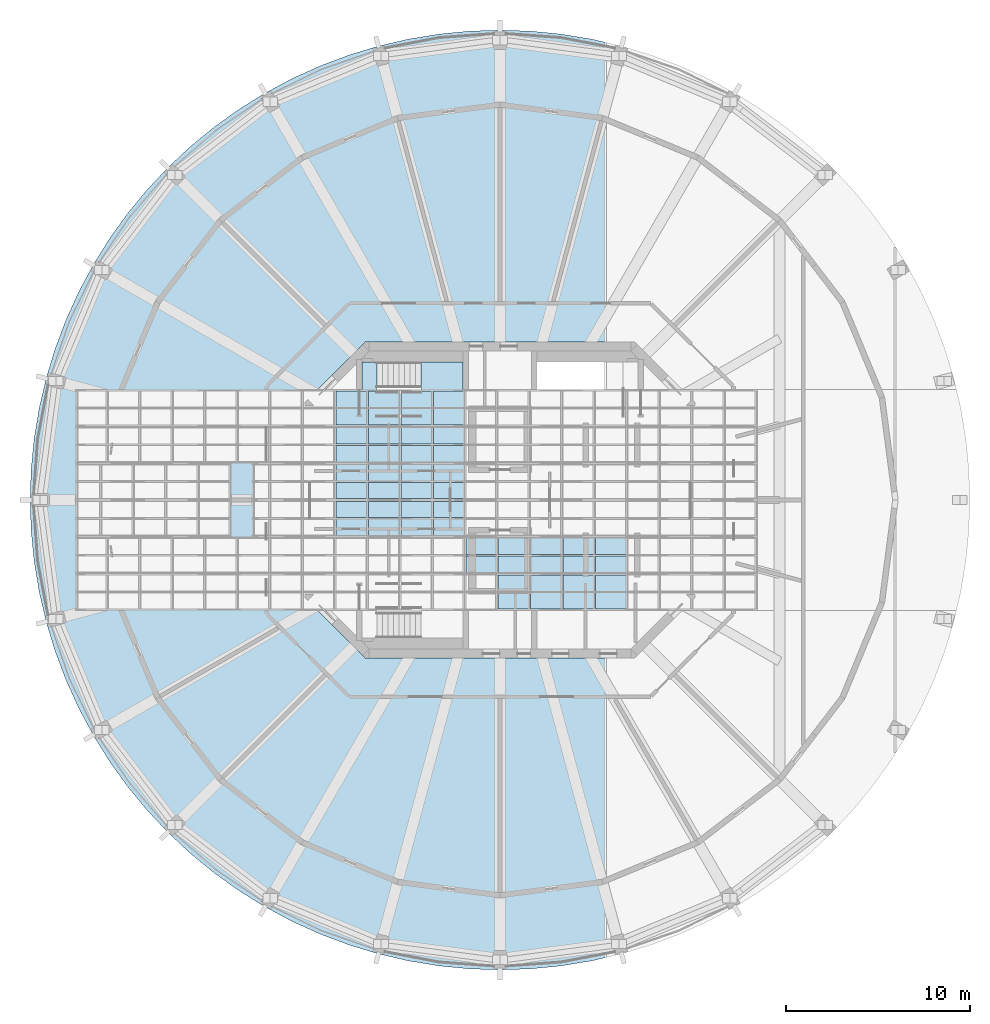
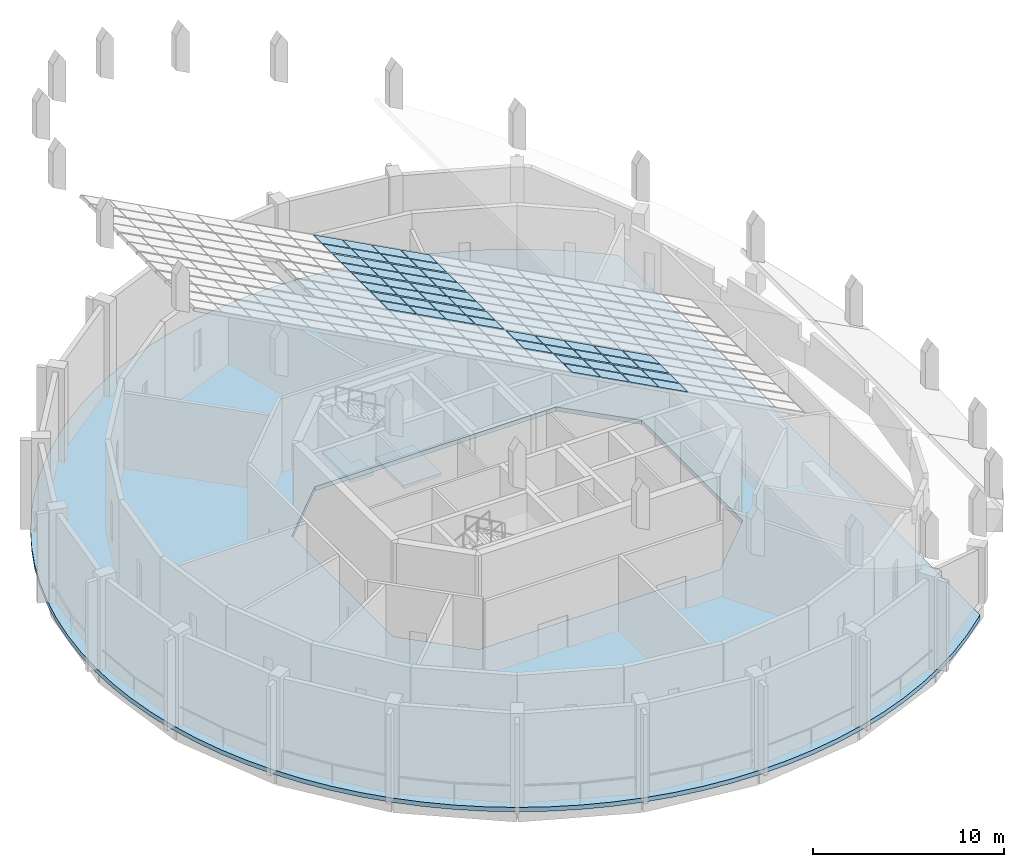
# One storey, part 10 of 19: 50 plates, 3 slabs, 7 elements without a shape of their own.
"""IFC4 building model written with IfcOpenShell, lengths in metres."""

from ifc_helpers import new_model, si_unit, direction, frame, origin, place, context, subcontext, project, spatial, polyline, outline, extrude, material, layer, layer_set, type_object, element, aggregate, save


model = new_model("IFC4")

# Units and contexts
model_context = context("Model", 3, precision=1e-05, world=origin(), true_north=direction((0.0, 1.0)))
body_context = subcontext(model_context, "Body", "Model", "MODEL_VIEW")
ifc_project = project(units=[si_unit("LENGTHUNIT", "METRE"), si_unit("AREAUNIT", "SQUARE_METRE"), si_unit("VOLUMEUNIT", "CUBIC_METRE"), si_unit("PLANEANGLEUNIT", "RADIAN"), si_unit("MASSUNIT", "GRAM", prefix="KILO")], contexts=[model_context])

# Site, building, storey
site_placement = place(None, origin())
site = spatial("IfcSite", under=ifc_project, at=site_placement, CompositionType="ELEMENT")
building_placement = place(site_placement, origin())
building = spatial("IfcBuilding", under=site, at=building_placement, Name="Torre Triforio", CompositionType="ELEMENT")
storey_placement = place(building_placement, frame((0.0, 0.0, 290.800048828125)))
storey = spatial("IfcBuildingStorey", under=building, at=storey_placement, Name="RF-1", CompositionType="ELEMENT", Elevation=290.800048828125)

# Curtain wall, plates
ifc_material_1 = material(Name="Aluminium glazing bars with clear laminated glass", Category="aluminium")
curtain_wall_type = type_object("IfcCurtainWallType", Name="Crown lantern glazing CW4", PredefinedType="NOTDEFINED", material=ifc_material_1)
curtain_wall_1_placement = place(storey_placement, origin())
curtain_wall_1 = element("IfcCurtainWall", 1, at=curtain_wall_1_placement, inside=storey, type_object=curtain_wall_type, Name="Crown lantern run 1", PredefinedType="NOTDEFINED")
ifc_material_2 = material(Name="Clear laminated glass", Category="glass")
ifc_layer_1 = layer(ifc_material_2, 0.030029296875)
ifc_layer_set_1 = layer_set([ifc_layer_1], Name="Clear laminated glass")
plate_type = type_object("IfcPlateType", Name="CW4 glass panel 30", PredefinedType="CURTAIN_PANEL", material=ifc_layer_set_1)
plate_1_placement = place(storey_placement, frame((6.905517578125, -5.929931640625, 9.913330078125), z_axis=(0.469438837627, 0.0, 0.882964992357), x_axis=(0.0, 1.0, 0.0)))
plate_1 = element("IfcPlate", 2, at=plate_1_placement, type_object=plate_type, Name="CW4 panel 1.5.1", PredefinedType="CURTAIN_PANEL", context=body_context, shape_type="SweptSolid", body=[
    extrude(outline(polyline([(0.0, 0.0), (0.89501953125, 0.0), (0.89501953125, 1.9299763606160503), (0.0, 1.9299763606160503), (0.0, 0.0)])), origin(), (0.0, 0.0, -1.0), 0.030029296875),
])
plate_2_placement = place(storey_placement, frame((6.905517578125, -4.965087890625, 9.913330078125), z_axis=(0.469438837627, 0.0, 0.882964992357), x_axis=(0.0, 1.0, 0.0)))
plate_2 = element("IfcPlate", 3, at=plate_2_placement, type_object=plate_type, Name="CW4 panel 1.5.2", PredefinedType="CURTAIN_PANEL", context=body_context, shape_type="SweptSolid", body=[
    extrude(outline(polyline([(0.0, 0.0), (0.89501953125, 0.0), (0.89501953125, 1.9299763606160503), (0.0, 1.9299763606160503), (0.0, 0.0)])), origin(), (0.0, 0.0, -1.0), 0.030029296875),
])
plate_3_placement = place(storey_placement, frame((5.1396484375, -5.929931640625, 10.852294921875), z_axis=(0.469537451121, 0.0, 0.882912556256), x_axis=(0.0, 1.0, 0.0)))
plate_3 = element("IfcPlate", 4, at=plate_3_placement, type_object=plate_type, Name="CW4 panel 1.6.1", PredefinedType="CURTAIN_PANEL", context=body_context, shape_type="SweptSolid", body=[
    extrude(outline(polyline([(0.0, 0.0), (0.89501953125, 0.0), (0.89501953125, 1.9300909817454048), (0.0, 1.9300909817454048), (0.0, 0.0)])), origin(), (0.0, 0.0, -1.0), 0.030029296875),
])
plate_4_placement = place(storey_placement, frame((5.1396484375, -4.965087890625, 10.852294921875), z_axis=(0.469537451121, 0.0, 0.882912556256), x_axis=(0.0, 1.0, 0.0)))
plate_4 = element("IfcPlate", 5, at=plate_4_placement, type_object=plate_type, Name="CW4 panel 1.6.2", PredefinedType="CURTAIN_PANEL", context=body_context, shape_type="SweptSolid", body=[
    extrude(outline(polyline([(0.0, 0.0), (0.89501953125, 0.0), (0.89501953125, 1.9300909817454048), (0.0, 1.9300909817454048), (0.0, 0.0)])), origin(), (0.0, 0.0, -1.0), 0.030029296875),
])
plate_5_placement = place(storey_placement, frame((3.373779296875, -5.929931640625, 11.791259765625), z_axis=(0.469438837627, 0.0, 0.882964992357), x_axis=(0.0, 1.0, 0.0)))
plate_5 = element("IfcPlate", 6, at=plate_5_placement, type_object=plate_type, Name="CW4 panel 1.7.1", PredefinedType="CURTAIN_PANEL", context=body_context, shape_type="SweptSolid", body=[
    extrude(outline(polyline([(0.0, 0.0), (0.89501953125, 0.0), (0.89501953125, 1.9299763606160503), (0.0, 1.9299763606160503), (0.0, 0.0)])), origin(), (0.0, 0.0, -1.0), 0.030029296875),
])
plate_6_placement = place(storey_placement, frame((3.373779296875, -4.965087890625, 11.791259765625), z_axis=(0.469438837627, 0.0, 0.882964992357), x_axis=(0.0, 1.0, 0.0)))
plate_6 = element("IfcPlate", 7, at=plate_6_placement, type_object=plate_type, Name="CW4 panel 1.7.2", PredefinedType="CURTAIN_PANEL", context=body_context, shape_type="SweptSolid", body=[
    extrude(outline(polyline([(0.0, 0.0), (0.89501953125, 0.0), (0.89501953125, 1.9299763606160503), (0.0, 1.9299763606160503), (0.0, 0.0)])), origin(), (0.0, 0.0, -1.0), 0.030029296875),
])
plate_7_placement = place(storey_placement, frame((1.60791015625, -5.929931640625, 12.730224609375), z_axis=(0.469438837627, 0.0, 0.882964992357), x_axis=(0.0, 1.0, 0.0)))
plate_7 = element("IfcPlate", 8, at=plate_7_placement, type_object=plate_type, Name="CW4 panel 1.8.1", PredefinedType="CURTAIN_PANEL", context=body_context, shape_type="SweptSolid", body=[
    extrude(outline(polyline([(0.0, 0.0), (0.89501953125, 0.0), (0.89501953125, 1.9299763606160503), (0.0, 1.9299763606160503), (0.0, 0.0)])), origin(), (0.0, 0.0, -1.0), 0.030029296875),
])
plate_8_placement = place(storey_placement, frame((1.60791015625, -4.965087890625, 12.730224609375), z_axis=(0.469438837627, 0.0, 0.882964992357), x_axis=(0.0, 1.0, 0.0)))
plate_8 = element("IfcPlate", 9, at=plate_8_placement, type_object=plate_type, Name="CW4 panel 1.8.2", PredefinedType="CURTAIN_PANEL", context=body_context, shape_type="SweptSolid", body=[
    extrude(outline(polyline([(0.0, 0.0), (0.89501953125, 0.0), (0.89501953125, 1.9299763606160503), (0.0, 1.9299763606160503), (0.0, 0.0)])), origin(), (0.0, 0.0, -1.0), 0.030029296875),
])
aggregate(curtain_wall_1, [plate_1, plate_2, plate_3, plate_4, plate_5, plate_6, plate_7, plate_8])

curtain_wall_2_placement = place(storey_placement, origin())
curtain_wall_2 = element("IfcCurtainWall", 10, at=curtain_wall_2_placement, inside=storey, type_object=curtain_wall_type, Name="Crown lantern run 2", PredefinedType="NOTDEFINED")
plate_9_placement = place(storey_placement, frame((6.905517578125, -3.929931640625, 9.913330078125), z_axis=(0.469438837627, 0.0, 0.882964992357), x_axis=(0.0, 1.0, 0.0)))
plate_9 = element("IfcPlate", 11, at=plate_9_placement, type_object=plate_type, Name="CW4 panel 2.5.1", PredefinedType="CURTAIN_PANEL", context=body_context, shape_type="SweptSolid", body=[
    extrude(outline(polyline([(0.0, 0.0), (0.89501953125, 0.0), (0.89501953125, 1.9299763606160503), (0.0, 1.9299763606160503), (0.0, 0.0)])), origin(), (0.0, 0.0, -1.0), 0.030029296875),
])
plate_10_placement = place(storey_placement, frame((6.905517578125, -2.965087890625, 9.913330078125), z_axis=(0.469438837627, 0.0, 0.882964992357), x_axis=(0.0, 1.0, 0.0)))
plate_10 = element("IfcPlate", 12, at=plate_10_placement, type_object=plate_type, Name="CW4 panel 2.5.2", PredefinedType="CURTAIN_PANEL", context=body_context, shape_type="SweptSolid", body=[
    extrude(outline(polyline([(0.0, 0.0), (0.89501953125, 0.0), (0.89501953125, 1.9299763606160503), (0.0, 1.9299763606160503), (0.0, 0.0)])), origin(), (0.0, 0.0, -1.0), 0.030029296875),
])
plate_11_placement = place(storey_placement, frame((5.1396484375, -3.929931640625, 10.852294921875), z_axis=(0.469537451121, 0.0, 0.882912556256), x_axis=(0.0, 1.0, 0.0)))
plate_11 = element("IfcPlate", 13, at=plate_11_placement, type_object=plate_type, Name="CW4 panel 2.6.1", PredefinedType="CURTAIN_PANEL", context=body_context, shape_type="SweptSolid", body=[
    extrude(outline(polyline([(0.0, 0.0), (0.89501953125, 0.0), (0.89501953125, 1.9300909817454048), (0.0, 1.9300909817454048), (0.0, 0.0)])), origin(), (0.0, 0.0, -1.0), 0.030029296875),
])
plate_12_placement = place(storey_placement, frame((5.1396484375, -2.965087890625, 10.852294921875), z_axis=(0.469537451121, 0.0, 0.882912556256), x_axis=(0.0, 1.0, 0.0)))
plate_12 = element("IfcPlate", 14, at=plate_12_placement, type_object=plate_type, Name="CW4 panel 2.6.2", PredefinedType="CURTAIN_PANEL", context=body_context, shape_type="SweptSolid", body=[
    extrude(outline(polyline([(0.0, 0.0), (0.89501953125, 0.0), (0.89501953125, 1.9300909817454048), (0.0, 1.9300909817454048), (0.0, 0.0)])), origin(), (0.0, 0.0, -1.0), 0.030029296875),
])
plate_13_placement = place(storey_placement, frame((3.373779296875, -3.929931640625, 11.791259765625), z_axis=(0.469438837627, 0.0, 0.882964992357), x_axis=(0.0, 1.0, 0.0)))
plate_13 = element("IfcPlate", 15, at=plate_13_placement, type_object=plate_type, Name="CW4 panel 2.7.1", PredefinedType="CURTAIN_PANEL", context=body_context, shape_type="SweptSolid", body=[
    extrude(outline(polyline([(0.0, 0.0), (0.89501953125, 0.0), (0.89501953125, 1.9299763606160503), (0.0, 1.9299763606160503), (0.0, 0.0)])), origin(), (0.0, 0.0, -1.0), 0.030029296875),
])
plate_14_placement = place(storey_placement, frame((3.373779296875, -2.965087890625, 11.791259765625), z_axis=(0.469438837627, 0.0, 0.882964992357), x_axis=(0.0, 1.0, 0.0)))
plate_14 = element("IfcPlate", 16, at=plate_14_placement, type_object=plate_type, Name="CW4 panel 2.7.2", PredefinedType="CURTAIN_PANEL", context=body_context, shape_type="SweptSolid", body=[
    extrude(outline(polyline([(0.0, 0.0), (0.89501953125, 0.0), (0.89501953125, 1.9299763606160503), (0.0, 1.9299763606160503), (0.0, 0.0)])), origin(), (0.0, 0.0, -1.0), 0.030029296875),
])
plate_15_placement = place(storey_placement, frame((1.60791015625, -3.929931640625, 12.730224609375), z_axis=(0.469438837627, 0.0, 0.882964992357), x_axis=(0.0, 1.0, 0.0)))
plate_15 = element("IfcPlate", 17, at=plate_15_placement, type_object=plate_type, Name="CW4 panel 2.8.1", PredefinedType="CURTAIN_PANEL", context=body_context, shape_type="SweptSolid", body=[
    extrude(outline(polyline([(0.0, 0.0), (0.89501953125, 0.0), (0.89501953125, 1.9299763606160503), (0.0, 1.9299763606160503), (0.0, 0.0)])), origin(), (0.0, 0.0, -1.0), 0.030029296875),
])
plate_16_placement = place(storey_placement, frame((1.60791015625, -2.965087890625, 12.730224609375), z_axis=(0.469438837627, 0.0, 0.882964992357), x_axis=(0.0, 1.0, 0.0)))
plate_16 = element("IfcPlate", 18, at=plate_16_placement, type_object=plate_type, Name="CW4 panel 2.8.2", PredefinedType="CURTAIN_PANEL", context=body_context, shape_type="SweptSolid", body=[
    extrude(outline(polyline([(0.0, 0.0), (0.89501953125, 0.0), (0.89501953125, 1.9299763606160503), (0.0, 1.9299763606160503), (0.0, 0.0)])), origin(), (0.0, 0.0, -1.0), 0.030029296875),
])
plate_17_placement = place(storey_placement, frame((-0.158203125, -3.929931640625, 13.669189453125), z_axis=(0.469438837627, 0.0, 0.882964992357), x_axis=(0.0, 1.0, 0.0)))
plate_17 = element("IfcPlate", 19, at=plate_17_placement, type_object=plate_type, Name="CW4 panel 2.9.1", PredefinedType="CURTAIN_PANEL", context=body_context, shape_type="SweptSolid", body=[
    extrude(outline(polyline([(0.0, 0.0), (0.89501953125, 0.0), (0.89501953125, 1.9299763606160503), (0.0, 1.9299763606160503), (0.0, 0.0)])), origin(), (0.0, 0.0, -1.0), 0.030029296875),
])
plate_18_placement = place(storey_placement, frame((-0.158203125, -2.965087890625, 13.669189453125), z_axis=(0.469438837627, 0.0, 0.882964992357), x_axis=(0.0, 1.0, 0.0)))
plate_18 = element("IfcPlate", 20, at=plate_18_placement, type_object=plate_type, Name="CW4 panel 2.9.2", PredefinedType="CURTAIN_PANEL", context=body_context, shape_type="SweptSolid", body=[
    extrude(outline(polyline([(0.0, 0.0), (0.89501953125, 0.0), (0.89501953125, 1.9299763606160503), (0.0, 1.9299763606160503), (0.0, 0.0)])), origin(), (0.0, 0.0, -1.0), 0.030029296875),
])
aggregate(curtain_wall_2, [plate_9, plate_10, plate_11, plate_12, plate_13, plate_14, plate_15, plate_16, plate_17, plate_18])

curtain_wall_3_placement = place(storey_placement, origin())
curtain_wall_3 = element("IfcCurtainWall", 21, at=curtain_wall_3_placement, inside=storey, type_object=curtain_wall_type, Name="Crown lantern run 3", PredefinedType="NOTDEFINED")
plate_19_placement = place(storey_placement, frame((-1.924072265625, -1.929931640625, 14.608154296875), z_axis=(0.469491276363, 0.0, 0.882937110682), x_axis=(0.0, 1.0, 0.0)))
plate_19 = element("IfcPlate", 22, at=plate_19_placement, type_object=plate_type, Name="CW4 panel 3.10.1", PredefinedType="CURTAIN_PANEL", context=body_context, shape_type="SweptSolid", body=[
    extrude(outline(polyline([(0.0, 0.0), (0.89501953125, 0.0), (0.89501953125, 1.9297607963942975), (0.0, 1.9297607963942975), (0.0, 0.0)])), origin(), (0.0, 0.0, -1.0), 0.030029296875),
])
plate_20_placement = place(storey_placement, frame((-1.924072265625, -0.965087890625, 14.608154296875), z_axis=(0.469491276363, 0.0, 0.882937110682), x_axis=(0.0, 1.0, 0.0)))
plate_20 = element("IfcPlate", 23, at=plate_20_placement, type_object=plate_type, Name="CW4 panel 3.10.2", PredefinedType="CURTAIN_PANEL", context=body_context, shape_type="SweptSolid", body=[
    extrude(outline(polyline([(0.0, 0.0), (0.89501953125, 0.0), (0.89501953125, 1.9297607963942975), (0.0, 1.9297607963942975), (0.0, 0.0)])), origin(), (0.0, 0.0, -1.0), 0.030029296875),
])
plate_21_placement = place(storey_placement, frame((-3.68994140625, -1.929931640625, 15.547119140625), z_axis=(0.469491276363, 0.0, 0.882937110682), x_axis=(0.0, 1.0, 0.0)))
plate_21 = element("IfcPlate", 24, at=plate_21_placement, type_object=plate_type, Name="CW4 panel 3.11.1", PredefinedType="CURTAIN_PANEL", context=body_context, shape_type="SweptSolid", body=[
    extrude(outline(polyline([(0.0, 0.0), (0.89501953125, 0.0), (0.89501953125, 1.9297607963942975), (0.0, 1.9297607963942975), (0.0, 0.0)])), origin(), (0.0, 0.0, -1.0), 0.030029296875),
])
plate_22_placement = place(storey_placement, frame((-3.68994140625, -0.965087890625, 15.547119140625), z_axis=(0.469491276363, 0.0, 0.882937110682), x_axis=(0.0, 1.0, 0.0)))
plate_22 = element("IfcPlate", 25, at=plate_22_placement, type_object=plate_type, Name="CW4 panel 3.11.2", PredefinedType="CURTAIN_PANEL", context=body_context, shape_type="SweptSolid", body=[
    extrude(outline(polyline([(0.0, 0.0), (0.89501953125, 0.0), (0.89501953125, 1.9297607963942975), (0.0, 1.9297607963942975), (0.0, 0.0)])), origin(), (0.0, 0.0, -1.0), 0.030029296875),
])
plate_23_placement = place(storey_placement, frame((-5.455810546875, -1.929931640625, 16.48583984375), z_axis=(0.469537451121, 0.0, 0.882912556256), x_axis=(0.0, 1.0, 0.0)))
plate_23 = element("IfcPlate", 26, at=plate_23_placement, type_object=plate_type, Name="CW4 panel 3.12.1", PredefinedType="CURTAIN_PANEL", context=body_context, shape_type="SweptSolid", body=[
    extrude(outline(polyline([(0.0, 0.0), (0.89501953125, 0.0), (0.89501953125, 1.9300909817454048), (0.0, 1.9300909817454048), (0.0, 0.0)])), origin(), (0.0, 0.0, -1.0), 0.030029296875),
])
plate_24_placement = place(storey_placement, frame((-5.455810546875, -0.965087890625, 16.48583984375), z_axis=(0.469537451121, 0.0, 0.882912556256), x_axis=(0.0, 1.0, 0.0)))
plate_24 = element("IfcPlate", 27, at=plate_24_placement, type_object=plate_type, Name="CW4 panel 3.12.2", PredefinedType="CURTAIN_PANEL", context=body_context, shape_type="SweptSolid", body=[
    extrude(outline(polyline([(0.0, 0.0), (0.89501953125, 0.0), (0.89501953125, 1.9300909817454048), (0.0, 1.9300909817454048), (0.0, 0.0)])), origin(), (0.0, 0.0, -1.0), 0.030029296875),
])
plate_25_placement = place(storey_placement, frame((-7.2216796875, -1.929931640625, 17.425048828125), z_axis=(0.469438837627, 0.0, 0.882964992357), x_axis=(0.0, 1.0, 0.0)))
plate_25 = element("IfcPlate", 28, at=plate_25_placement, type_object=plate_type, Name="CW4 panel 3.13.1", PredefinedType="CURTAIN_PANEL", context=body_context, shape_type="SweptSolid", body=[
    extrude(outline(polyline([(0.0, 0.0), (0.89501953125, 0.0), (0.89501953125, 1.9299763606160503), (0.0, 1.9299763606160503), (0.0, 0.0)])), origin(), (0.0, 0.0, -1.0), 0.030029296875),
])
plate_26_placement = place(storey_placement, frame((-7.2216796875, -0.965087890625, 17.425048828125), z_axis=(0.469438837627, 0.0, 0.882964992357), x_axis=(0.0, 1.0, 0.0)))
plate_26 = element("IfcPlate", 29, at=plate_26_placement, type_object=plate_type, Name="CW4 panel 3.13.2", PredefinedType="CURTAIN_PANEL", context=body_context, shape_type="SweptSolid", body=[
    extrude(outline(polyline([(0.0, 0.0), (0.89501953125, 0.0), (0.89501953125, 1.9299763606160503), (0.0, 1.9299763606160503), (0.0, 0.0)])), origin(), (0.0, 0.0, -1.0), 0.030029296875),
])
aggregate(curtain_wall_3, [plate_19, plate_20, plate_21, plate_22, plate_23, plate_24, plate_25, plate_26])

curtain_wall_4_placement = place(storey_placement, origin())
curtain_wall_4 = element("IfcCurtainWall", 30, at=curtain_wall_4_placement, inside=storey, type_object=curtain_wall_type, Name="Crown lantern run 5", PredefinedType="NOTDEFINED")
plate_27_placement = place(storey_placement, frame((-1.924072265625, 0.070068359375, 14.608154296875), z_axis=(0.469491276363, 0.0, 0.882937110682), x_axis=(0.0, 1.0, 0.0)))
plate_27 = element("IfcPlate", 31, at=plate_27_placement, type_object=plate_type, Name="CW4 panel 5.10.1", PredefinedType="CURTAIN_PANEL", context=body_context, shape_type="SweptSolid", body=[
    extrude(outline(polyline([(0.0, 0.0), (0.89501953125, 0.0), (0.89501953125, 1.9297607963942975), (0.0, 1.9297607963942975), (0.0, 0.0)])), origin(), (0.0, 0.0, -1.0), 0.030029296875),
])
plate_28_placement = place(storey_placement, frame((-1.924072265625, 1.034912109375, 14.608154296875), z_axis=(0.469491276363, 0.0, 0.882937110682), x_axis=(0.0, 1.0, 0.0)))
plate_28 = element("IfcPlate", 32, at=plate_28_placement, type_object=plate_type, Name="CW4 panel 5.10.2", PredefinedType="CURTAIN_PANEL", context=body_context, shape_type="SweptSolid", body=[
    extrude(outline(polyline([(0.0, 0.0), (0.89501953125, 0.0), (0.89501953125, 1.9297607963942975), (0.0, 1.9297607963942975), (0.0, 0.0)])), origin(), (0.0, 0.0, -1.0), 0.030029296875),
])
plate_29_placement = place(storey_placement, frame((-3.68994140625, 0.070068359375, 15.547119140625), z_axis=(0.469491276363, 0.0, 0.882937110682), x_axis=(0.0, 1.0, 0.0)))
plate_29 = element("IfcPlate", 33, at=plate_29_placement, type_object=plate_type, Name="CW4 panel 5.11.1", PredefinedType="CURTAIN_PANEL", context=body_context, shape_type="SweptSolid", body=[
    extrude(outline(polyline([(0.0, 0.0), (0.89501953125, 0.0), (0.89501953125, 1.9297607963942975), (0.0, 1.9297607963942975), (0.0, 0.0)])), origin(), (0.0, 0.0, -1.0), 0.030029296875),
])
plate_30_placement = place(storey_placement, frame((-3.68994140625, 1.034912109375, 15.547119140625), z_axis=(0.469491276363, 0.0, 0.882937110682), x_axis=(0.0, 1.0, 0.0)))
plate_30 = element("IfcPlate", 34, at=plate_30_placement, type_object=plate_type, Name="CW4 panel 5.11.2", PredefinedType="CURTAIN_PANEL", context=body_context, shape_type="SweptSolid", body=[
    extrude(outline(polyline([(0.0, 0.0), (0.89501953125, 0.0), (0.89501953125, 1.9297607963942975), (0.0, 1.9297607963942975), (0.0, 0.0)])), origin(), (0.0, 0.0, -1.0), 0.030029296875),
])
plate_31_placement = place(storey_placement, frame((-5.455810546875, 0.070068359375, 16.48583984375), z_axis=(0.469537451121, 0.0, 0.882912556256), x_axis=(0.0, 1.0, 0.0)))
plate_31 = element("IfcPlate", 35, at=plate_31_placement, type_object=plate_type, Name="CW4 panel 5.12.1", PredefinedType="CURTAIN_PANEL", context=body_context, shape_type="SweptSolid", body=[
    extrude(outline(polyline([(0.0, 0.0), (0.89501953125, 0.0), (0.89501953125, 1.9300909817454048), (0.0, 1.9300909817454048), (0.0, 0.0)])), origin(), (0.0, 0.0, -1.0), 0.030029296875),
])
plate_32_placement = place(storey_placement, frame((-5.455810546875, 1.034912109375, 16.48583984375), z_axis=(0.469537451121, 0.0, 0.882912556256), x_axis=(0.0, 1.0, 0.0)))
plate_32 = element("IfcPlate", 36, at=plate_32_placement, type_object=plate_type, Name="CW4 panel 5.12.2", PredefinedType="CURTAIN_PANEL", context=body_context, shape_type="SweptSolid", body=[
    extrude(outline(polyline([(0.0, 0.0), (0.89501953125, 0.0), (0.89501953125, 1.9300909817454048), (0.0, 1.9300909817454048), (0.0, 0.0)])), origin(), (0.0, 0.0, -1.0), 0.030029296875),
])
plate_33_placement = place(storey_placement, frame((-7.2216796875, 0.070068359375, 17.425048828125), z_axis=(0.469438837627, 0.0, 0.882964992357), x_axis=(0.0, 1.0, 0.0)))
plate_33 = element("IfcPlate", 37, at=plate_33_placement, type_object=plate_type, Name="CW4 panel 5.13.1", PredefinedType="CURTAIN_PANEL", context=body_context, shape_type="SweptSolid", body=[
    extrude(outline(polyline([(0.0, 0.0), (0.89501953125, 0.0), (0.89501953125, 1.9299763606160503), (0.0, 1.9299763606160503), (0.0, 0.0)])), origin(), (0.0, 0.0, -1.0), 0.030029296875),
])
plate_34_placement = place(storey_placement, frame((-7.2216796875, 1.034912109375, 17.425048828125), z_axis=(0.469438837627, 0.0, 0.882964992357), x_axis=(0.0, 1.0, 0.0)))
plate_34 = element("IfcPlate", 38, at=plate_34_placement, type_object=plate_type, Name="CW4 panel 5.13.2", PredefinedType="CURTAIN_PANEL", context=body_context, shape_type="SweptSolid", body=[
    extrude(outline(polyline([(0.0, 0.0), (0.89501953125, 0.0), (0.89501953125, 1.9299763606160503), (0.0, 1.9299763606160503), (0.0, 0.0)])), origin(), (0.0, 0.0, -1.0), 0.030029296875),
])
aggregate(curtain_wall_4, [plate_27, plate_28, plate_29, plate_30, plate_31, plate_32, plate_33, plate_34])

curtain_wall_5_placement = place(storey_placement, origin())
curtain_wall_5 = element("IfcCurtainWall", 39, at=curtain_wall_5_placement, inside=storey, type_object=curtain_wall_type, Name="Crown lantern run 7", PredefinedType="NOTDEFINED")
plate_35_placement = place(storey_placement, frame((-1.924072265625, 2.070068359375, 14.608154296875), z_axis=(0.469491276363, 0.0, 0.882937110682), x_axis=(0.0, 1.0, 0.0)))
plate_35 = element("IfcPlate", 40, at=plate_35_placement, type_object=plate_type, Name="CW4 panel 7.10.1", PredefinedType="CURTAIN_PANEL", context=body_context, shape_type="SweptSolid", body=[
    extrude(outline(polyline([(0.0, 0.0), (0.89501953125, 0.0), (0.89501953125, 1.9297607963942975), (0.0, 1.9297607963942975), (0.0, 0.0)])), origin(), (0.0, 0.0, -1.0), 0.030029296875),
])
plate_36_placement = place(storey_placement, frame((-1.924072265625, 3.034912109375, 14.608154296875), z_axis=(0.469491276363, 0.0, 0.882937110682), x_axis=(0.0, 1.0, 0.0)))
plate_36 = element("IfcPlate", 41, at=plate_36_placement, type_object=plate_type, Name="CW4 panel 7.10.2", PredefinedType="CURTAIN_PANEL", context=body_context, shape_type="SweptSolid", body=[
    extrude(outline(polyline([(0.0, 0.0), (0.89501953125, 0.0), (0.89501953125, 1.9297607963942975), (0.0, 1.9297607963942975), (0.0, 0.0)])), origin(), (0.0, 0.0, -1.0), 0.030029296875),
])
plate_37_placement = place(storey_placement, frame((-3.68994140625, 2.070068359375, 15.547119140625), z_axis=(0.469491276363, 0.0, 0.882937110682), x_axis=(0.0, 1.0, 0.0)))
plate_37 = element("IfcPlate", 42, at=plate_37_placement, type_object=plate_type, Name="CW4 panel 7.11.1", PredefinedType="CURTAIN_PANEL", context=body_context, shape_type="SweptSolid", body=[
    extrude(outline(polyline([(0.0, 0.0), (0.89501953125, 0.0), (0.89501953125, 1.9297607963942975), (0.0, 1.9297607963942975), (0.0, 0.0)])), origin(), (0.0, 0.0, -1.0), 0.030029296875),
])
plate_38_placement = place(storey_placement, frame((-3.68994140625, 3.034912109375, 15.547119140625), z_axis=(0.469491276363, 0.0, 0.882937110682), x_axis=(0.0, 1.0, 0.0)))
plate_38 = element("IfcPlate", 43, at=plate_38_placement, type_object=plate_type, Name="CW4 panel 7.11.2", PredefinedType="CURTAIN_PANEL", context=body_context, shape_type="SweptSolid", body=[
    extrude(outline(polyline([(0.0, 0.0), (0.89501953125, 0.0), (0.89501953125, 1.9297607963942975), (0.0, 1.9297607963942975), (0.0, 0.0)])), origin(), (0.0, 0.0, -1.0), 0.030029296875),
])
plate_39_placement = place(storey_placement, frame((-5.455810546875, 2.070068359375, 16.48583984375), z_axis=(0.469537451121, 0.0, 0.882912556256), x_axis=(0.0, 1.0, 0.0)))
plate_39 = element("IfcPlate", 44, at=plate_39_placement, type_object=plate_type, Name="CW4 panel 7.12.1", PredefinedType="CURTAIN_PANEL", context=body_context, shape_type="SweptSolid", body=[
    extrude(outline(polyline([(0.0, 0.0), (0.89501953125, 0.0), (0.89501953125, 1.9300909817454048), (0.0, 1.9300909817454048), (0.0, 0.0)])), origin(), (0.0, 0.0, -1.0), 0.030029296875),
])
plate_40_placement = place(storey_placement, frame((-5.455810546875, 3.034912109375, 16.48583984375), z_axis=(0.469537451121, 0.0, 0.882912556256), x_axis=(0.0, 1.0, 0.0)))
plate_40 = element("IfcPlate", 45, at=plate_40_placement, type_object=plate_type, Name="CW4 panel 7.12.2", PredefinedType="CURTAIN_PANEL", context=body_context, shape_type="SweptSolid", body=[
    extrude(outline(polyline([(0.0, 0.0), (0.89501953125, 0.0), (0.89501953125, 1.9300909817454048), (0.0, 1.9300909817454048), (0.0, 0.0)])), origin(), (0.0, 0.0, -1.0), 0.030029296875),
])
plate_41_placement = place(storey_placement, frame((-7.2216796875, 2.070068359375, 17.425048828125), z_axis=(0.469438837627, 0.0, 0.882964992357), x_axis=(0.0, 1.0, 0.0)))
plate_41 = element("IfcPlate", 46, at=plate_41_placement, type_object=plate_type, Name="CW4 panel 7.13.1", PredefinedType="CURTAIN_PANEL", context=body_context, shape_type="SweptSolid", body=[
    extrude(outline(polyline([(0.0, 0.0), (0.89501953125, 0.0), (0.89501953125, 1.9299763606160503), (0.0, 1.9299763606160503), (0.0, 0.0)])), origin(), (0.0, 0.0, -1.0), 0.030029296875),
])
plate_42_placement = place(storey_placement, frame((-7.2216796875, 3.034912109375, 17.425048828125), z_axis=(0.469438837627, 0.0, 0.882964992357), x_axis=(0.0, 1.0, 0.0)))
plate_42 = element("IfcPlate", 47, at=plate_42_placement, type_object=plate_type, Name="CW4 panel 7.13.2", PredefinedType="CURTAIN_PANEL", context=body_context, shape_type="SweptSolid", body=[
    extrude(outline(polyline([(0.0, 0.0), (0.89501953125, 0.0), (0.89501953125, 1.9299763606160503), (0.0, 1.9299763606160503), (0.0, 0.0)])), origin(), (0.0, 0.0, -1.0), 0.030029296875),
])
aggregate(curtain_wall_5, [plate_35, plate_36, plate_37, plate_38, plate_39, plate_40, plate_41, plate_42])

curtain_wall_6_placement = place(storey_placement, origin())
curtain_wall_6 = element("IfcCurtainWall", 48, at=curtain_wall_6_placement, inside=storey, type_object=curtain_wall_type, Name="Crown lantern run 8", PredefinedType="NOTDEFINED")
plate_43_placement = place(storey_placement, frame((-1.924072265625, 4.070068359375, 14.608154296875), z_axis=(0.469491276363, 0.0, 0.882937110682), x_axis=(0.0, 1.0, 0.0)))
plate_43 = element("IfcPlate", 49, at=plate_43_placement, type_object=plate_type, Name="CW4 panel 8.10.1", PredefinedType="CURTAIN_PANEL", context=body_context, shape_type="SweptSolid", body=[
    extrude(outline(polyline([(0.0, 0.0), (0.89501953125, 0.0), (0.89501953125, 1.9297607963942975), (0.0, 1.9297607963942975), (0.0, 0.0)])), origin(), (0.0, 0.0, -1.0), 0.030029296875),
])
plate_44_placement = place(storey_placement, frame((-1.924072265625, 5.034912109375, 14.608154296875), z_axis=(0.469491276363, 0.0, 0.882937110682), x_axis=(0.0, 1.0, 0.0)))
plate_44 = element("IfcPlate", 50, at=plate_44_placement, type_object=plate_type, Name="CW4 panel 8.10.2", PredefinedType="CURTAIN_PANEL", context=body_context, shape_type="SweptSolid", body=[
    extrude(outline(polyline([(0.0, 0.0), (0.89501953125, 0.0), (0.89501953125, 1.9297607963942975), (0.0, 1.9297607963942975), (0.0, 0.0)])), origin(), (0.0, 0.0, -1.0), 0.030029296875),
])
plate_45_placement = place(storey_placement, frame((-3.68994140625, 4.070068359375, 15.547119140625), z_axis=(0.469491276363, 0.0, 0.882937110682), x_axis=(0.0, 1.0, 0.0)))
plate_45 = element("IfcPlate", 51, at=plate_45_placement, type_object=plate_type, Name="CW4 panel 8.11.1", PredefinedType="CURTAIN_PANEL", context=body_context, shape_type="SweptSolid", body=[
    extrude(outline(polyline([(0.0, 0.0), (0.89501953125, 0.0), (0.89501953125, 1.9297607963942975), (0.0, 1.9297607963942975), (0.0, 0.0)])), origin(), (0.0, 0.0, -1.0), 0.030029296875),
])
plate_46_placement = place(storey_placement, frame((-3.68994140625, 5.034912109375, 15.547119140625), z_axis=(0.469491276363, 0.0, 0.882937110682), x_axis=(0.0, 1.0, 0.0)))
plate_46 = element("IfcPlate", 52, at=plate_46_placement, type_object=plate_type, Name="CW4 panel 8.11.2", PredefinedType="CURTAIN_PANEL", context=body_context, shape_type="SweptSolid", body=[
    extrude(outline(polyline([(0.0, 0.0), (0.89501953125, 0.0), (0.89501953125, 1.9297607963942975), (0.0, 1.9297607963942975), (0.0, 0.0)])), origin(), (0.0, 0.0, -1.0), 0.030029296875),
])
plate_47_placement = place(storey_placement, frame((-5.455810546875, 4.070068359375, 16.48583984375), z_axis=(0.469537451121, 0.0, 0.882912556256), x_axis=(0.0, 1.0, 0.0)))
plate_47 = element("IfcPlate", 53, at=plate_47_placement, type_object=plate_type, Name="CW4 panel 8.12.1", PredefinedType="CURTAIN_PANEL", context=body_context, shape_type="SweptSolid", body=[
    extrude(outline(polyline([(0.0, 0.0), (0.89501953125, 0.0), (0.89501953125, 1.9300909817454048), (0.0, 1.9300909817454048), (0.0, 0.0)])), origin(), (0.0, 0.0, -1.0), 0.030029296875),
])
plate_48_placement = place(storey_placement, frame((-5.455810546875, 5.034912109375, 16.48583984375), z_axis=(0.469537451121, 0.0, 0.882912556256), x_axis=(0.0, 1.0, 0.0)))
plate_48 = element("IfcPlate", 54, at=plate_48_placement, type_object=plate_type, Name="CW4 panel 8.12.2", PredefinedType="CURTAIN_PANEL", context=body_context, shape_type="SweptSolid", body=[
    extrude(outline(polyline([(0.0, 0.0), (0.89501953125, 0.0), (0.89501953125, 1.9300909817454048), (0.0, 1.9300909817454048), (0.0, 0.0)])), origin(), (0.0, 0.0, -1.0), 0.030029296875),
])
plate_49_placement = place(storey_placement, frame((-7.2216796875, 4.070068359375, 17.425048828125), z_axis=(0.469438837627, 0.0, 0.882964992357), x_axis=(0.0, 1.0, 0.0)))
plate_49 = element("IfcPlate", 55, at=plate_49_placement, type_object=plate_type, Name="CW4 panel 8.13.1", PredefinedType="CURTAIN_PANEL", context=body_context, shape_type="SweptSolid", body=[
    extrude(outline(polyline([(0.0, 0.0), (0.89501953125, 0.0), (0.89501953125, 1.9299763606160503), (0.0, 1.9299763606160503), (0.0, 0.0)])), origin(), (0.0, 0.0, -1.0), 0.030029296875),
])
plate_50_placement = place(storey_placement, frame((-7.2216796875, 5.034912109375, 17.425048828125), z_axis=(0.469438837627, 0.0, 0.882964992357), x_axis=(0.0, 1.0, 0.0)))
plate_50 = element("IfcPlate", 56, at=plate_50_placement, type_object=plate_type, Name="CW4 panel 8.13.2", PredefinedType="CURTAIN_PANEL", context=body_context, shape_type="SweptSolid", body=[
    extrude(outline(polyline([(0.0, 0.0), (0.89501953125, 0.0), (0.89501953125, 1.9299763606160503), (0.0, 1.9299763606160503), (0.0, 0.0)])), origin(), (0.0, 0.0, -1.0), 0.030029296875),
])
aggregate(curtain_wall_6, [plate_43, plate_44, plate_45, plate_46, plate_47, plate_48, plate_49, plate_50])

# Slab
ifc_material_3 = material(Name="Concrete C40", Category="concrete")
ifc_layer_2 = layer(ifc_material_3, 0.280029296875)
ifc_layer_set_2 = layer_set([ifc_layer_2], Name="Concrete C40")
slab_type_1 = type_object("IfcSlabType", Name="Floor slab 280 C40", PredefinedType="FLOOR", material=ifc_layer_set_2)
slab_1_placement = place(storey_placement, frame((0.0, 0.0, -0.280029296875)))
element("IfcSlab", 57, at=slab_1_placement, inside=storey, type_object=slab_type_1, Name="SL.RF-1", PredefinedType="FLOOR", context=body_context, shape_type="SweptSolid", body=[
    extrude(outline(polyline([(17.086669921875, -18.984375), (17.086669921875, 18.984375), (16.84619140625, 19.20947265625), (15.553955078125, 20.270263671875), (14.19482421875, 21.244140625), (12.77490234375, 22.126953125), (11.300537109375, 22.9150390625), (9.777587890625, 23.605224609375), (8.212890625, 24.194091796875), (6.61279296875, 24.679443359375), (4.984619140625, 25.05908203125), (3.3349609375, 25.331298828125), (1.671142578125, 25.495361328125), (0.0, 25.550048828125), (-1.671142578125, 25.495361328125), (-3.3349609375, 25.331298828125), (-4.984619140625, 25.05908203125), (-6.61279296875, 24.679443359375), (-8.212890625, 24.194091796875), (-9.777587890625, 23.605224609375), (-11.300537109375, 22.9150390625), (-12.77490234375, 22.126953125), (-14.19482421875, 21.244140625), (-15.553955078125, 20.270263671875), (-16.84619140625, 19.20947265625), (-18.066650390625, 18.066650390625), (-19.20947265625, 16.84619140625), (-20.270263671875, 15.553955078125), (-21.244140625, 14.19482421875), (-22.126953125, 12.77490234375), (-22.9150390625, 11.300537109375), (-23.605224609375, 9.777587890625), (-24.194091796875, 8.212890625), (-24.679443359375, 6.61279296875), (-25.05908203125, 4.984619140625), (-25.331298828125, 3.3349609375), (-25.495361328125, 1.671142578125), (-25.550048828125, 0.0), (-25.495361328125, -1.671142578125), (-25.331298828125, -3.3349609375), (-25.05908203125, -4.984619140625), (-24.679443359375, -6.61279296875), (-24.194091796875, -8.212890625), (-23.605224609375, -9.777587890625), (-22.9150390625, -11.300537109375), (-22.126953125, -12.77490234375), (-21.244140625, -14.19482421875), (-20.270263671875, -15.553955078125), (-19.20947265625, -16.84619140625), (-18.066650390625, -18.066650390625), (-16.84619140625, -19.20947265625), (-15.553955078125, -20.270263671875), (-14.19482421875, -21.244140625), (-12.77490234375, -22.126953125), (-11.300537109375, -22.9150390625), (-9.777587890625, -23.605224609375), (-8.212890625, -24.194091796875), (-6.61279296875, -24.679443359375), (-4.984619140625, -25.05908203125), (-3.3349609375, -25.331298828125), (-1.671142578125, -25.495361328125), (0.0, -25.550048828125), (1.671142578125, -25.495361328125), (3.3349609375, -25.331298828125), (4.984619140625, -25.05908203125), (6.61279296875, -24.679443359375), (8.212890625, -24.194091796875), (9.777587890625, -23.605224609375), (11.300537109375, -22.9150390625), (12.77490234375, -22.126953125), (14.19482421875, -21.244140625), (15.553955078125, -20.270263671875), (16.84619140625, -19.20947265625), (17.086669921875, -18.984375)]), holes=[polyline([(10.60009765625, 5.30712890625), (10.60009765625, -5.30712890625), (7.30712890625, -8.60009765625), (-7.30712890625, -8.60009765625), (-10.60009765625, -5.30712890625), (-10.60009765625, 5.30712890625), (-7.30712890625, 8.60009765625), (7.30712890625, 8.60009765625), (10.60009765625, 5.30712890625)])]), origin(), (0.0, 0.0, 1.0), 0.280029296875),
])

# Stair, slabs
stair_type = type_object("IfcStairType", Name="STAIR DOUBLE RETURN", PredefinedType="DOUBLE_RETURN_STAIR", material=ifc_material_3)
stair_placement = place(storey_placement, origin())
stair = element("IfcStair", 58, at=stair_placement, inside=storey, type_object=stair_type, Name="Exit stair 1", PredefinedType="DOUBLE_RETURN_STAIR")
ifc_layer_3 = layer(ifc_material_3, 0.199951171875)
ifc_layer_set_3 = layer_set([ifc_layer_3], Name="Concrete C40")
slab_type_2 = type_object("IfcSlabType", Name="STAIR LANDING 200", PredefinedType="LANDING", material=ifc_layer_set_3)
slab_2_placement = place(storey_placement, frame((0.0, 0.0, 1.300048828125)))
slab_2 = element("IfcSlab", 59, at=slab_2_placement, type_object=slab_type_2, Name="ST1 landing 1", PredefinedType="LANDING", context=body_context, shape_type="SweptSolid", body=[
    extrude(outline(polyline([(-2.0, 4.5), (-2.0, 7.5), (-4.300048828125, 7.5), (-4.300048828125, 4.5), (-2.0, 4.5)])), origin(), (0.0, 0.0, 1.0), 0.199951171875),
])
slab_3_placement = place(storey_placement, frame((0.0, 0.0, 2.800048828125)))
slab_3 = element("IfcSlab", 60, at=slab_3_placement, type_object=slab_type_2, Name="ST1 landing 2", PredefinedType="LANDING", context=body_context, shape_type="SweptSolid", body=[
    extrude(outline(polyline([(-6.10009765625, 5.89990234375), (-6.10009765625, 4.5), (-6.696044921875, 4.5), (-6.699951171875, 4.5), (-7.5, 4.5), (-7.5, 7.5), (-6.696044921875, 7.5), (-6.696044921875, 5.89990234375), (-6.10009765625, 5.89990234375)])), origin(), (0.0, 0.0, 1.0), 0.199951171875),
])
aggregate(stair, [slab_2, slab_3])

save(model, "model.ifc")
